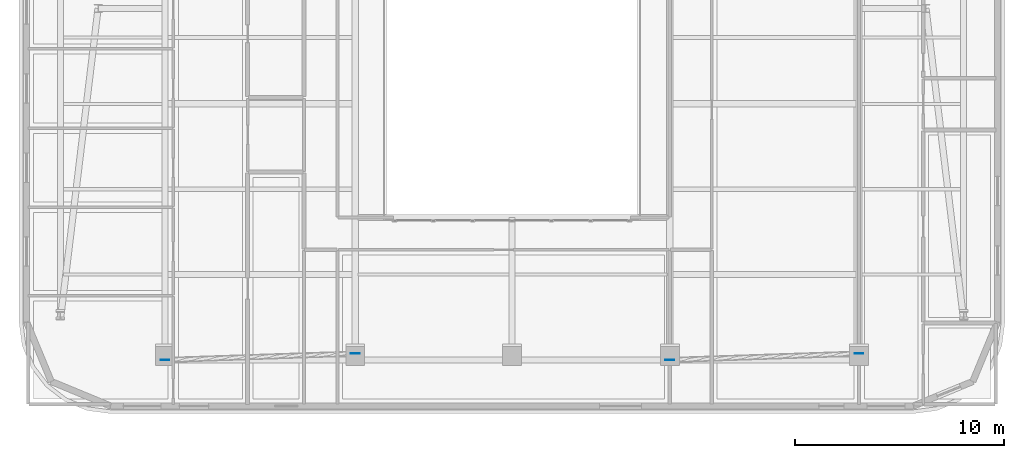
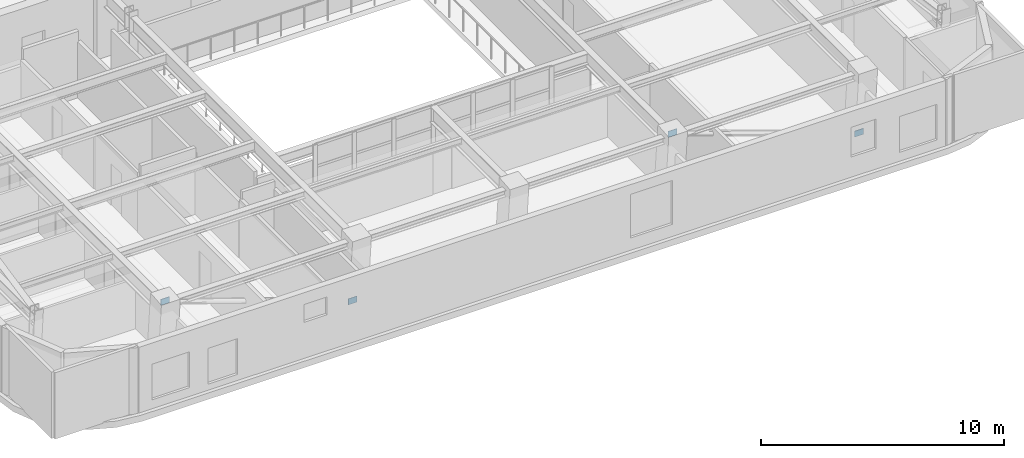
# One storey, part 5 of 14: 4 plates.
"""IFC4 building model written with IfcOpenShell, lengths in metres."""

from ifc_helpers import new_model, si_unit, direction, frame, origin, origin_2d, place, context, subcontext, project, spatial, rectangle, extrude, material, layer, layer_set, type_object, element, save


model = new_model("IFC4")

# Units and contexts
model_context = context("Model", 3, precision=1e-05, world=origin(), true_north=direction((0.0, 1.0)))
body_context = subcontext(model_context, "Body", "Model", "MODEL_VIEW")
ifc_project = project(units=[si_unit("LENGTHUNIT", "METRE"), si_unit("AREAUNIT", "SQUARE_METRE"), si_unit("VOLUMEUNIT", "CUBIC_METRE"), si_unit("PLANEANGLEUNIT", "RADIAN"), si_unit("MASSUNIT", "GRAM", prefix="KILO")], contexts=[model_context])

# Site, building, storey
site_placement = place(None, origin())
site = spatial("IfcSite", under=ifc_project, at=site_placement, CompositionType="ELEMENT")
building_placement = place(site_placement, origin())
building = spatial("IfcBuilding", under=site, at=building_placement, Name="Zarnavel Station Tower", CompositionType="ELEMENT")
storey_placement = place(building_placement, frame((0.0, 0.0, 211.199951171875)))
storey = spatial("IfcBuildingStorey", under=building, at=storey_placement, Name="L57", CompositionType="ELEMENT", Elevation=211.199951171875)

# Plates
ifc_material = material(Name="Steel S460M", Category="steel")
ifc_layer = layer(ifc_material, 0.02490234375)
ifc_layer_set = layer_set([ifc_layer], Name="GP_GUSSET_25")
plate_type = type_object("IfcPlateType", Name="GP_GUSSET_25", PredefinedType="USERDEFINED", material=ifc_layer_set)
for number, where, z_axis, x_axis, name in (
    (1, (21.300048828125, 7.089111328125, -0.14990234375), (0.0, 0.0, 1.0), (1.0, 0.0, 0.0), "L57 Exterior Diagonal Brace End Gusset 1-1"),
    (2, (12.199951171875, 6.786376953125, 3.18994140625), (0.0, 0.0, 1.0), (1.0, 0.0, 0.0), "L57 Exterior Diagonal Brace End Gusset 1-2"),
    (3, (45.39990234375, 7.089111328125, -0.14990234375), (0.0, 0.0, 1.0), (1.0, 0.0, 0.0), "L57 Exterior Diagonal Brace End Gusset 2-1"),
    (4, (36.35009765625, 6.786376953125, 3.18994140625), (0.0, 0.0, 1.0), (1.0, 0.0, 0.0), "L57 Exterior Diagonal Brace End Gusset 2-2"),
):
    element("IfcPlate", number, at=place(storey_placement, frame(where, z_axis=z_axis, x_axis=x_axis)), inside=storey, type_object=plate_type, Name=name, ObjectType="GUSSET_PLATE", PredefinedType="USERDEFINED", context=body_context, shape_type="SweptSolid", body=[
        extrude(rectangle(XDim=0.419921875, YDim=0.02490234375, at=origin_2d()), origin(), (0.0, 0.0, 1.0), 0.300048828125),
    ])

save(model, "model.ifc")
